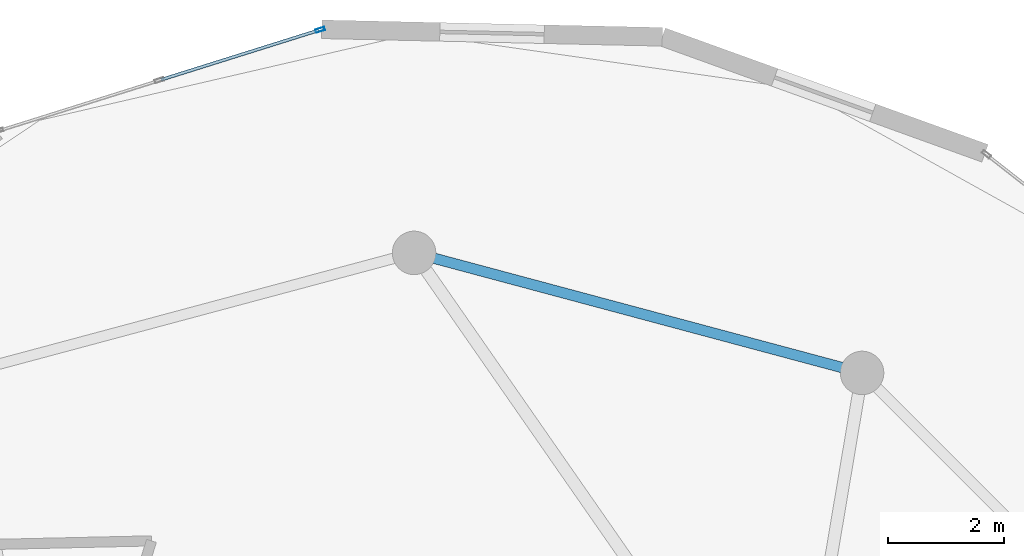
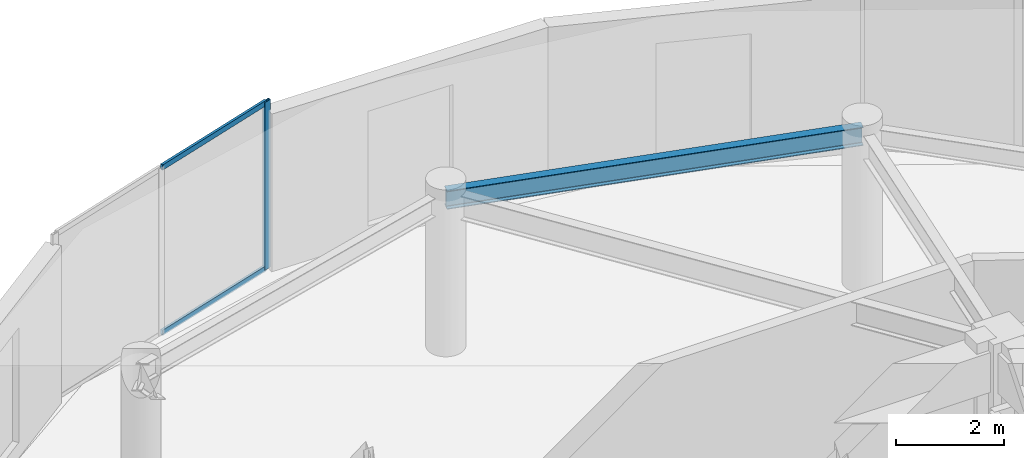
# One storey, part 12 of 19: 3 members, 1 beam, 1 element without a shape of its own.
"""IFC4 building model written with IfcOpenShell, lengths in metres."""

from ifc_helpers import new_model, si_unit, direction, frame, origin, origin_2d, place, context, subcontext, project, spatial, hollow_rectangle, i_section, extrude, source, transform, mapped, material, layer, layer_set, material_profile, profile_set, type_object, element, aggregate, save


model = new_model("IFC4")

# Units and contexts
model_context = context("Model", 3, precision=1e-05, world=origin(), true_north=direction((0.0, 1.0)))
body_context = subcontext(model_context, "Body", "Model", "MODEL_VIEW")
ifc_project = project(units=[si_unit("LENGTHUNIT", "METRE"), si_unit("AREAUNIT", "SQUARE_METRE"), si_unit("VOLUMEUNIT", "CUBIC_METRE"), si_unit("PLANEANGLEUNIT", "RADIAN"), si_unit("MASSUNIT", "GRAM", prefix="KILO")], contexts=[model_context])

# Site, building, storey
site_placement = place(None, origin())
site = spatial("IfcSite", under=ifc_project, at=site_placement, CompositionType="ELEMENT")
building_placement = place(site_placement, origin())
building = spatial("IfcBuilding", under=site, at=building_placement, Name="Solvirekh Grand Hotel", CompositionType="ELEMENT")
storey_placement = place(building_placement, frame((0.0, 0.0, 254.39990234375)))
storey = spatial("IfcBuildingStorey", under=building, at=storey_placement, Name="L66", CompositionType="ELEMENT", Elevation=254.39990234375)

# Beam
ifc_material_1 = material(Name="Steel S355", Category="steel")
ifc_material_profile_1 = material_profile(ifc_material_1, i_section(OverallWidth=0.180908203125, OverallDepth=0.4169921875, WebThickness=0.010009765625, FlangeThickness=0.01611328125, FilletRadius=0.011962890625, at=origin_2d()), Name="W410X85")
ifc_profile_set_1 = profile_set([ifc_material_profile_1], Name="Steel S355")
beam_type = type_object("IfcBeamType", Name="Spandrel_Ring_W410", PredefinedType="SPANDREL", material=ifc_profile_set_1)
beam_placement = place(storey_placement, frame((7.72509765625, 13.3798828125, 3.362060546875), z_axis=(-0.965921616143, 0.258834757072, 0.0), x_axis=(-0.258834757072, -0.965921616143, 0.0)))
element("IfcBeam", 1, at=beam_placement, inside=storey, type_object=beam_type, Name="L66 perimeter spandrel beam 3", PredefinedType="SPANDREL", context=body_context, shape_type="SweptSolid", body=[
    extrude(i_section(OverallWidth=0.180908203125, OverallDepth=0.4169921875, WebThickness=0.010009765625, FlangeThickness=0.01611328125, FilletRadius=0.011962890625, at=origin_2d()), origin(), (0.0, 0.0, 1.0), 7.99755859375),
])

# Curtain wall, members
ifc_material_2 = material(Name="Anodized Bronze Aluminium 6063-T6", Category="aluminium")
ifc_layer = layer(ifc_material_2, 0.159912109375)
ifc_layer_set = layer_set([ifc_layer], Name="Anodized Bronze Aluminium 6063-T6")
curtain_wall_type = type_object("IfcCurtainWallType", Name="CW_Sys4_HighZoneFlushBronzeCW", PredefinedType="NOTDEFINED", material=ifc_layer_set)
curtain_wall_placement = place(storey_placement, origin())
curtain_wall = element("IfcCurtainWall", 2, at=curtain_wall_placement, inside=storey, type_object=curtain_wall_type, Name="L66 unitised bronze-glass curtain wall CW-L66-C11", PredefinedType="NOTDEFINED")
ifc_material_profile_2 = material_profile(ifc_material_2, hollow_rectangle(XDim=0.06005859375, YDim=0.159912109375, WallThickness=0.0048828125, at=origin_2d()), Name="ALU RHS 160X60X5")
ifc_profile_set_2 = profile_set([ifc_material_profile_2], Name="Anodized Bronze Aluminium 6063-T6")
member_type_1 = type_object("IfcMemberType", Name="CWMullion_Sys4", PredefinedType="MULLION", material=ifc_profile_set_2)
shared_shape_1 = source(origin(), body_context, "Body", "SweptSolid", [
    extrude(hollow_rectangle(XDim=0.06005859375, YDim=0.159912109375, WallThickness=0.0048828125, at=origin_2d()), origin(), (0.0, 0.0, 1.0), 3.800048828125),
])
member_1_placement = place(storey_placement, frame((-1.61962890625, 19.297119140625, 0.0), z_axis=(0.0, 0.0, 1.0), x_axis=(0.299574158927, -0.954073017805, 0.0)))
member_1 = element("IfcMember", 3, at=member_1_placement, type_object=member_type_1, Name="U04 mullion 1", PredefinedType="MULLION", context=body_context, shape_type="MappedRepresentation", body=[
    mapped(shared_shape_1, transform((0.0, 0.0, 0.0), x_axis=(1.0, 0.0, 0.0), y_axis=(0.0, 1.0, 0.0), z_axis=(0.0, 0.0, 1.0), scale=1.0)),
])
ifc_material_profile_3 = material_profile(ifc_material_2, hollow_rectangle(XDim=0.054931640625, YDim=0.1201171875, WallThickness=0.00390625, at=origin_2d()), Name="ALU RHS 120X55X4")
ifc_profile_set_3 = profile_set([ifc_material_profile_3], Name="Anodized Bronze Aluminium 6063-T6")
member_type_2 = type_object("IfcMemberType", Name="CWTransom_Sys4", PredefinedType="USERDEFINED", material=ifc_profile_set_3)
shared_shape_2 = source(origin(), body_context, "Body", "SweptSolid", [
    extrude(hollow_rectangle(XDim=0.054931640625, YDim=0.1201171875, WallThickness=0.00390625, at=origin_2d()), origin(), (0.0, 0.0, 1.0), 2.845703125),
])
member_2_placement = place(storey_placement, frame((-1.648193359375, 19.2880859375, 0.027587890625), z_axis=(-0.954071507715, -0.299578968163, 0.0), x_axis=(0.299578968163, -0.954071507715, 0.0)))
member_2 = element("IfcMember", 4, at=member_2_placement, type_object=member_type_2, Name="U04 transom 1.1", ObjectType="TRANSOM", PredefinedType="USERDEFINED", context=body_context, shape_type="MappedRepresentation", body=[
    mapped(shared_shape_2, transform((0.0, 0.0, 0.0), x_axis=(1.0, 0.0, 0.0), y_axis=(0.0, 1.0, 0.0), z_axis=(0.0, 0.0, 1.0), scale=1.0)),
])
member_3_placement = place(storey_placement, frame((-1.648193359375, 19.2880859375, 3.772705078125), z_axis=(-0.954071507715, -0.299578968163, 0.0), x_axis=(0.299578968163, -0.954071507715, 0.0)))
member_3 = element("IfcMember", 5, at=member_3_placement, type_object=member_type_2, Name="U04 transom 1.2", ObjectType="TRANSOM", PredefinedType="USERDEFINED", context=body_context, shape_type="MappedRepresentation", body=[
    mapped(shared_shape_2, transform((0.0, 0.0, 0.0), x_axis=(1.0, 0.0, 0.0), y_axis=(0.0, 1.0, 0.0), z_axis=(0.0, 0.0, 1.0), scale=1.0)),
])
aggregate(curtain_wall, [member_1, member_2, member_3])

save(model, "model.ifc")
